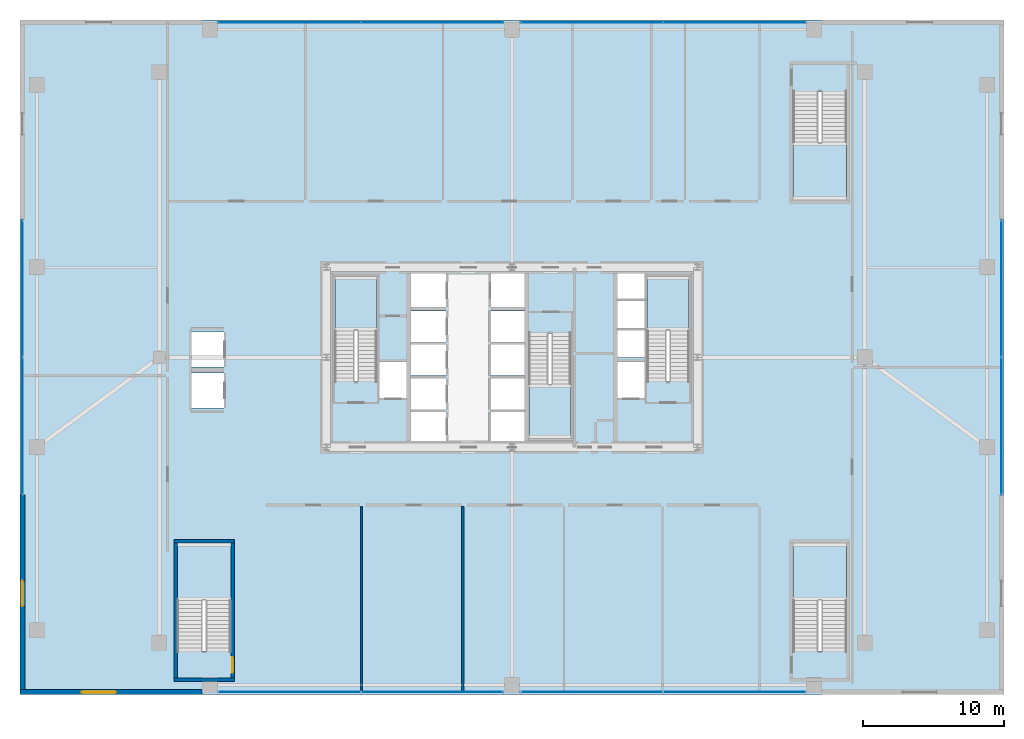
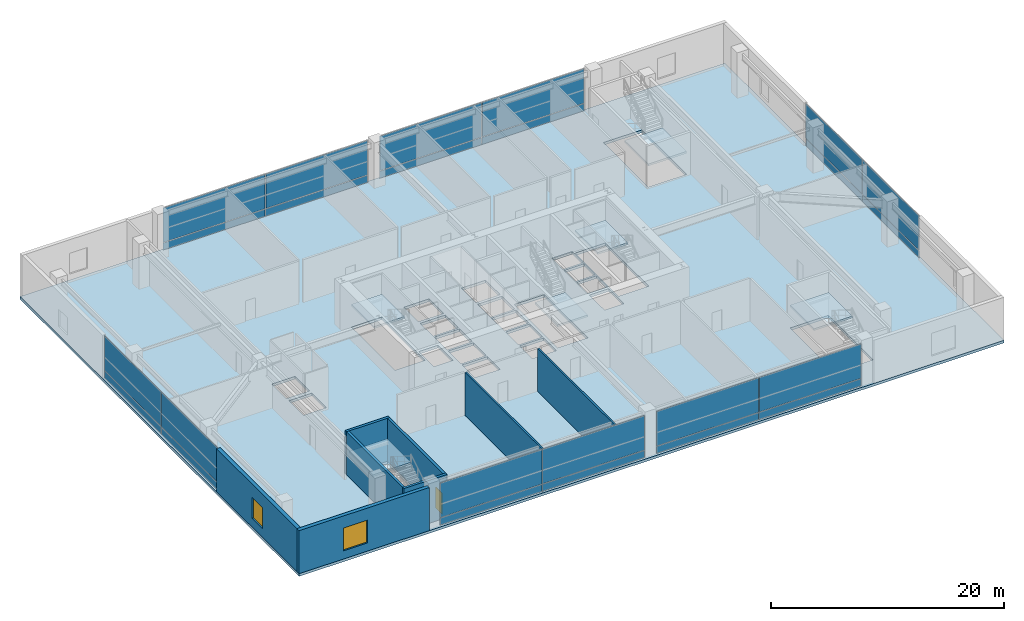
# One storey, part 32 of 39: 24 plates, 8 walls, 7 slabs, 2 windows, 1 door, 3 openings, 12 elements without a shape of their own.
"""IFC4 building model written with IfcOpenShell, lengths in metres."""

from ifc_helpers import new_model, si_unit, direction, frame, frame_2d, origin, origin_2d, place, context, subcontext, project, spatial, polyline, rectangle, outline, extrude, source, transform, mapped, material, layer, layer_set, type_object, element, fill, aggregate, save


model = new_model("IFC4")

# Units and contexts
model_context = context("Model", 3, precision=1e-05, world=origin(), true_north=direction((0.0, 1.0)))
body_context = subcontext(model_context, "Body", "Model", "MODEL_VIEW")
ifc_project = project(units=[si_unit("LENGTHUNIT", "METRE"), si_unit("AREAUNIT", "SQUARE_METRE"), si_unit("VOLUMEUNIT", "CUBIC_METRE"), si_unit("PLANEANGLEUNIT", "RADIAN"), si_unit("MASSUNIT", "GRAM", prefix="KILO"), si_unit("THERMODYNAMICTEMPERATUREUNIT", "KELVIN"), si_unit("POWERUNIT", "WATT")], contexts=[model_context])

# Site, building, storey
site_placement = place(None, origin())
site = spatial("IfcSite", under=ifc_project, at=site_placement, CompositionType="ELEMENT")
building_placement = place(site_placement, origin())
building = spatial("IfcBuilding", under=site, at=building_placement, Name="Yuzanri Waterfront Tower", CompositionType="ELEMENT")
storey_placement = place(building_placement, frame((0.0, 0.0, 15.0)))
storey = spatial("IfcBuildingStorey", under=building, at=storey_placement, Name="L04", CompositionType="ELEMENT", Elevation=15.0)

# Stair, slab
ifc_material_1 = material(Name="Concrete C40", Category="concrete")
stair_type_1 = type_object("IfcStairType", Name="Concrete C40 Core Dogleg Exit Stair", PredefinedType="HALF_TURN_STAIR", material=ifc_material_1)
stair_1_placement = place(storey_placement, origin())
stair_1 = element("IfcStair", 1, at=stair_1_placement, inside=storey, type_object=stair_type_1, Name="L04 Smoke-Proof Core Stair ST-01", PredefinedType="HALF_TURN_STAIR")
ifc_material_2 = material(Name="Concrete C40", Category="concrete")
ifc_layer_1 = layer(ifc_material_2, 0.179931640625)
ifc_layer_set_1 = layer_set([ifc_layer_1], Name="Concrete C40")
slab_type_1 = type_object("IfcSlabType", Name="Concrete C40 Stair Half-Landing Slab 180", PredefinedType="LANDING", material=ifc_layer_set_1)
slab_1_placement = place(storey_placement, frame((0.0, 0.0, 2.199951171875)))
slab_1 = element("IfcSlab", 2, at=slab_1_placement, type_object=slab_type_1, Name="ST-01 landing 1", PredefinedType="LANDING", context=body_context, shape_type="SweptSolid", body=[
    extrude(outline(polyline([(27.39990234375, 27.679931640625), (27.39990234375, 31.580078125), (24.39990234375, 31.580078125), (24.39990234375, 27.679931640625), (27.39990234375, 27.679931640625)])), origin(), (0.0, 0.0, 1.0), 0.199951171875),
])
aggregate(stair_1, [slab_1])

stair_2_placement = place(storey_placement, origin())
stair_2 = element("IfcStair", 3, at=stair_2_placement, inside=storey, type_object=stair_type_1, Name="L04 Smoke-Proof Core Stair ST-02", PredefinedType="HALF_TURN_STAIR")
slab_2_placement = place(storey_placement, frame((0.0, 0.0, 2.199951171875)))
slab_2 = element("IfcSlab", 4, at=slab_2_placement, type_object=slab_type_1, Name="ST-02 landing 1", PredefinedType="LANDING", context=body_context, shape_type="SweptSolid", body=[
    extrude(outline(polyline([(49.60009765625, 27.679931640625), (49.60009765625, 31.580078125), (46.60009765625, 31.580078125), (46.60009765625, 27.679931640625), (49.60009765625, 27.679931640625)])), origin(), (0.0, 0.0, 1.0), 0.199951171875),
])
aggregate(stair_2, [slab_2])

stair_3_placement = place(storey_placement, origin())
stair_3 = element("IfcStair", 5, at=stair_3_placement, inside=storey, type_object=stair_type_1, Name="L04 Smoke-Proof Core Stair ST-03", PredefinedType="HALF_TURN_STAIR")
slab_3_placement = place(storey_placement, frame((0.0, 0.0, 2.199951171875)))
slab_3 = element("IfcSlab", 6, at=slab_3_placement, type_object=slab_type_1, Name="ST-03 landing 1", PredefinedType="LANDING", context=body_context, shape_type="SweptSolid", body=[
    extrude(outline(polyline([(38.199951171875, 23.919921875), (38.199951171875, 20.02001953125), (41.199951171875, 20.02001953125), (41.199951171875, 23.919921875), (38.199951171875, 23.919921875)])), origin(), (0.0, 0.0, 1.0), 0.199951171875),
])
aggregate(stair_3, [slab_3])

ifc_material_3 = material(Name="Concrete C40", Category="concrete")
stair_type_2 = type_object("IfcStairType", Name="Concrete C40 Podium Dogleg Exit Stair", PredefinedType="HALF_TURN_STAIR", material=ifc_material_3)
stair_4_placement = place(storey_placement, origin())
stair_4 = element("IfcStair", 7, at=stair_4_placement, inside=storey, type_object=stair_type_2, Name="L04 Podium Public Exit Stair PST-01", PredefinedType="HALF_TURN_STAIR")
slab_4_placement = place(storey_placement, frame((0.0, 0.0, 2.199951171875)))
slab_4 = element("IfcSlab", 8, at=slab_4_placement, type_object=slab_type_1, Name="PST-01 landing 1", PredefinedType="LANDING", context=body_context, shape_type="SweptSolid", body=[
    extrude(outline(polyline([(17.0, 8.489990234375), (17.0, 12.60009765625), (13.199951171875, 12.60009765625), (13.199951171875, 8.489990234375), (17.0, 8.489990234375)])), origin(), (0.0, 0.0, 1.0), 0.199951171875),
])
aggregate(stair_4, [slab_4])

stair_5_placement = place(storey_placement, origin())
stair_5 = element("IfcStair", 9, at=stair_5_placement, inside=storey, type_object=stair_type_2, Name="L04 Podium Public Exit Stair PST-02", PredefinedType="HALF_TURN_STAIR")
slab_5_placement = place(storey_placement, frame((0.0, 0.0, 2.199951171875)))
slab_5 = element("IfcSlab", 10, at=slab_5_placement, type_object=slab_type_1, Name="PST-02 landing 1", PredefinedType="LANDING", context=body_context, shape_type="SweptSolid", body=[
    extrude(outline(polyline([(60.800048828125, 8.489990234375), (60.800048828125, 12.60009765625), (57.0, 12.60009765625), (57.0, 8.489990234375), (60.800048828125, 8.489990234375)])), origin(), (0.0, 0.0, 1.0), 0.199951171875),
])
aggregate(stair_5, [slab_5])

stair_6_placement = place(storey_placement, origin())
stair_6 = element("IfcStair", 11, at=stair_6_placement, inside=storey, type_object=stair_type_2, Name="L04 Podium Public Exit Stair PST-03", PredefinedType="HALF_TURN_STAIR")
slab_6_placement = place(storey_placement, frame((0.0, 0.0, 2.199951171875)))
slab_6 = element("IfcSlab", 12, at=slab_6_placement, type_object=slab_type_1, Name="PST-03 landing 1", PredefinedType="LANDING", context=body_context, shape_type="SweptSolid", body=[
    extrude(outline(polyline([(57.0, 41.110107421875), (57.0, 37.0), (60.800048828125, 37.0), (60.800048828125, 41.110107421875), (57.0, 41.110107421875)])), origin(), (0.0, 0.0, 1.0), 0.199951171875),
])
aggregate(stair_6, [slab_6])

# Slab
ifc_material_4 = material(Name="Concrete C45", Category="concrete")
ifc_layer_2 = layer(ifc_material_4, 0.280029296875)
ifc_layer_set_2 = layer_set([ifc_layer_2], Name="Concrete C45")
slab_type_2 = type_object("IfcSlabType", Name="Concrete C45 Podium and Refuge Structural Floor Slab 280", PredefinedType="FLOOR", material=ifc_layer_set_2)
slab_7_placement = place(storey_placement, frame((0.0, 0.0, -0.280029296875)))
element("IfcSlab", 13, at=slab_7_placement, inside=storey, type_object=slab_type_2, Name="L04 Main Structural Floor Slab", PredefinedType="FLOOR", context=body_context, shape_type="SweptSolid", body=[
    extrude(outline(polyline([(2.0, 1.800048828125), (72.0, 1.800048828125), (72.0, 49.800048828125), (2.0, 49.800048828125), (2.0, 1.800048828125)]), holes=[polyline([(27.39990234375, 24.10009765625), (27.39990234375, 31.580078125), (24.39990234375, 31.580078125), (24.39990234375, 24.10009765625), (27.39990234375, 24.10009765625)]), polyline([(49.60009765625, 24.10009765625), (49.60009765625, 31.580078125), (46.60009765625, 31.580078125), (46.60009765625, 24.10009765625), (49.60009765625, 24.10009765625)]), polyline([(38.199951171875, 27.5), (38.199951171875, 20.02001953125), (41.199951171875, 20.02001953125), (41.199951171875, 27.5), (38.199951171875, 27.5)]), polyline([(17.0, 4.909912109375), (17.0, 12.60009765625), (13.199951171875, 12.60009765625), (13.199951171875, 4.909912109375), (17.0, 4.909912109375)]), polyline([(60.800048828125, 4.909912109375), (60.800048828125, 12.60009765625), (57.0, 12.60009765625), (57.0, 4.909912109375), (60.800048828125, 4.909912109375)]), polyline([(57.0, 44.68994140625), (57.0, 37.0), (60.800048828125, 37.0), (60.800048828125, 44.68994140625), (57.0, 44.68994140625)]), polyline([(27.56005859375, 22.89990234375), (29.47998046875, 22.89990234375), (29.47998046875, 25.5), (27.56005859375, 25.5), (27.56005859375, 22.89990234375)]), polyline([(44.52001953125, 22.89990234375), (46.43994140625, 22.89990234375), (46.43994140625, 25.5), (44.52001953125, 25.5), (44.52001953125, 22.89990234375)]), polyline([(29.800048828125, 19.699951171875), (32.300048828125, 19.699951171875), (32.300048828125, 21.89990234375), (29.800048828125, 21.89990234375), (29.800048828125, 19.699951171875)]), polyline([(29.800048828125, 22.10009765625), (32.300048828125, 22.10009765625), (32.300048828125, 24.300048828125), (29.800048828125, 24.300048828125), (29.800048828125, 22.10009765625)]), polyline([(29.800048828125, 24.5), (32.300048828125, 24.5), (32.300048828125, 26.699951171875), (29.800048828125, 26.699951171875), (29.800048828125, 24.5)]), polyline([(29.800048828125, 26.89990234375), (32.300048828125, 26.89990234375), (32.300048828125, 29.10009765625), (29.800048828125, 29.10009765625), (29.800048828125, 26.89990234375)]), polyline([(29.800048828125, 29.39990234375), (32.300048828125, 29.39990234375), (32.300048828125, 31.89990234375), (29.800048828125, 31.89990234375), (29.800048828125, 29.39990234375)]), polyline([(35.5, 19.699951171875), (37.89990234375, 19.699951171875), (37.89990234375, 21.89990234375), (35.5, 21.89990234375), (35.5, 19.699951171875)]), polyline([(35.5, 22.10009765625), (37.89990234375, 22.10009765625), (37.89990234375, 24.300048828125), (35.5, 24.300048828125), (35.5, 22.10009765625)]), polyline([(35.5, 24.5), (37.89990234375, 24.5), (37.89990234375, 26.699951171875), (35.5, 26.699951171875), (35.5, 24.5)]), polyline([(35.5, 26.89990234375), (37.89990234375, 26.89990234375), (37.89990234375, 29.10009765625), (35.5, 29.10009765625), (35.5, 26.89990234375)]), polyline([(35.5, 29.39990234375), (37.89990234375, 29.39990234375), (37.89990234375, 31.89990234375), (35.5, 31.89990234375), (35.5, 29.39990234375)]), polyline([(44.5, 25.800048828125), (46.5, 25.800048828125), (46.5, 27.699951171875), (44.5, 27.699951171875), (44.5, 25.800048828125)]), polyline([(44.5, 27.89990234375), (46.5, 27.89990234375), (46.5, 29.800048828125), (44.5, 29.800048828125), (44.5, 27.89990234375)]), polyline([(44.5, 30.0), (46.5, 30.0), (46.5, 31.89990234375), (44.5, 31.89990234375), (44.5, 30.0)]), polyline([(14.199951171875, 22.199951171875), (16.5, 22.199951171875), (16.5, 24.699951171875), (14.199951171875, 24.699951171875), (14.199951171875, 22.199951171875)]), polyline([(14.199951171875, 25.10009765625), (16.5, 25.10009765625), (16.5, 27.60009765625), (14.199951171875, 27.60009765625), (14.199951171875, 25.10009765625)])]), origin(), (0.0, 0.0, 1.0), 0.280029296875),
])

# Curtain wall, plates
ifc_material_5 = material(Name="Anodized Architectural Bronze", Category="metal")
ifc_layer_3 = layer(ifc_material_5, 0.159912109375)
ifc_layer_set_3 = layer_set([ifc_layer_3], Name="Anodized Architectural Bronze")
curtain_wall_type = type_object("IfcCurtainWallType", Name="Anodized Bronze Podium Waterfront Double-Height Unitized Curtain Wall 8400", PredefinedType="NOTDEFINED", material=ifc_layer_set_3)
curtain_wall_1_placement = place(storey_placement, origin())
curtain_wall_1 = element("IfcCurtainWall", 14, at=curtain_wall_1_placement, inside=storey, type_object=curtain_wall_type, Name="L04 Curtain Wall CW-L04-W", PredefinedType="NOTDEFINED")
ifc_material_6 = material(Name="Anodized Architectural Bronze", Category="metal")
ifc_layer_4 = layer(ifc_material_6, 0.028076171875)
ifc_layer_set_4 = layer_set([ifc_layer_4], Name="Anodized Architectural Bronze")
plate_type_1 = type_object("IfcPlateType", Name="Bronze Insulated Spandrel Shadow-Box Panel 28", PredefinedType="CURTAIN_PANEL", material=ifc_layer_set_4)
shared_shape_1 = source(origin(), body_context, "Body", "SweptSolid", [
    extrude(rectangle(XDim=9.719970703125, YDim=0.028076171875, at=origin_2d()), origin(), (0.0, 0.0, 1.0), 0.739990234375),
])
plate_1_placement = place(storey_placement, frame((2.179931640625, 20.89990234375, 0.0498046875), z_axis=(0.0, 0.0, 1.0), x_axis=(0.0, 1.0, 0.0)))
plate_1 = element("IfcPlate", 15, at=plate_1_placement, type_object=plate_type_1, Name="CW-L04-W Spandrel Panel 01", PredefinedType="CURTAIN_PANEL", context=body_context, shape_type="MappedRepresentation", body=[
    mapped(shared_shape_1, transform((0.0, 0.0, 0.0), scale=1.0)),
])
plate_2_placement = place(storey_placement, frame((2.179931640625, 30.699951171875, 0.0498046875), z_axis=(0.0, 0.0, 1.0), x_axis=(0.0, 1.0, 0.0)))
plate_2 = element("IfcPlate", 16, at=plate_2_placement, type_object=plate_type_1, Name="CW-L04-W Spandrel Panel 02", PredefinedType="CURTAIN_PANEL", context=body_context, shape_type="MappedRepresentation", body=[
    mapped(shared_shape_1, transform((0.0, 0.0, 0.0), scale=1.0)),
])

curtain_wall_2_placement = place(storey_placement, origin())
curtain_wall_2 = element("IfcCurtainWall", 17, at=curtain_wall_2_placement, inside=storey, type_object=curtain_wall_type, Name="L04 Curtain Wall CW-L04-E", PredefinedType="NOTDEFINED")
plate_3_placement = place(storey_placement, frame((71.820068359375, 20.89990234375, 0.0498046875), z_axis=(0.0, 0.0, 1.0), x_axis=(0.0, 1.0, 0.0)))
plate_3 = element("IfcPlate", 18, at=plate_3_placement, type_object=plate_type_1, Name="CW-L04-E Spandrel Panel 01", PredefinedType="CURTAIN_PANEL", context=body_context, shape_type="MappedRepresentation", body=[
    mapped(shared_shape_1, transform((0.0, 0.0, 0.0), scale=1.0)),
])
plate_4_placement = place(storey_placement, frame((71.820068359375, 30.699951171875, 0.0498046875), z_axis=(0.0, 0.0, 1.0), x_axis=(0.0, 1.0, 0.0)))
plate_4 = element("IfcPlate", 19, at=plate_4_placement, type_object=plate_type_1, Name="CW-L04-E Spandrel Panel 02", PredefinedType="CURTAIN_PANEL", context=body_context, shape_type="MappedRepresentation", body=[
    mapped(shared_shape_1, transform((0.0, 0.0, 0.0), scale=1.0)),
])

curtain_wall_3_placement = place(storey_placement, origin())
curtain_wall_3 = element("IfcCurtainWall", 20, at=curtain_wall_3_placement, inside=storey, type_object=curtain_wall_type, Name="L04 Curtain Wall CW-L04-S1", PredefinedType="NOTDEFINED")
shared_shape_2 = source(origin(), body_context, "Body", "SweptSolid", [
    extrude(rectangle(XDim=10.10009765625, YDim=0.028076171875, at=origin_2d()), origin(), (0.0, 0.0, 1.0), 0.739990234375),
])
plate_5_placement = place(storey_placement, frame((21.159912109375, 1.97998046875, 0.0498046875), z_axis=(0.0, 0.0, 1.0), x_axis=(1.0, 0.0, 0.0)))
plate_5 = element("IfcPlate", 21, at=plate_5_placement, type_object=plate_type_1, Name="CW-L04-S1 Spandrel Panel 01", PredefinedType="CURTAIN_PANEL", context=body_context, shape_type="MappedRepresentation", body=[
    mapped(shared_shape_2, transform((0.0, 0.0, 0.0), scale=1.0)),
])
plate_6_placement = place(storey_placement, frame((31.340087890625, 1.97998046875, 0.0498046875), z_axis=(0.0, 0.0, 1.0), x_axis=(1.0, 0.0, 0.0)))
plate_6 = element("IfcPlate", 22, at=plate_6_placement, type_object=plate_type_1, Name="CW-L04-S1 Spandrel Panel 02", PredefinedType="CURTAIN_PANEL", context=body_context, shape_type="MappedRepresentation", body=[
    mapped(shared_shape_2, transform((0.0, 0.0, 0.0), scale=1.0)),
])

curtain_wall_4_placement = place(storey_placement, origin())
curtain_wall_4 = element("IfcCurtainWall", 23, at=curtain_wall_4_placement, inside=storey, type_object=curtain_wall_type, Name="L04 Curtain Wall CW-L04-S2", PredefinedType="NOTDEFINED")
plate_7_placement = place(storey_placement, frame((42.659912109375, 1.97998046875, 0.0498046875), z_axis=(0.0, 0.0, 1.0), x_axis=(1.0, 0.0, 0.0)))
plate_7 = element("IfcPlate", 24, at=plate_7_placement, type_object=plate_type_1, Name="CW-L04-S2 Spandrel Panel 01", PredefinedType="CURTAIN_PANEL", context=body_context, shape_type="MappedRepresentation", body=[
    mapped(shared_shape_2, transform((0.0, 0.0, 0.0), scale=1.0)),
])
plate_8_placement = place(storey_placement, frame((52.840087890625, 1.97998046875, 0.0498046875), z_axis=(0.0, 0.0, 1.0), x_axis=(1.0, 0.0, 0.0)))
plate_8 = element("IfcPlate", 25, at=plate_8_placement, type_object=plate_type_1, Name="CW-L04-S2 Spandrel Panel 02", PredefinedType="CURTAIN_PANEL", context=body_context, shape_type="MappedRepresentation", body=[
    mapped(shared_shape_2, transform((0.0, 0.0, 0.0), scale=1.0)),
])

curtain_wall_5_placement = place(storey_placement, origin())
curtain_wall_5 = element("IfcCurtainWall", 26, at=curtain_wall_5_placement, inside=storey, type_object=curtain_wall_type, Name="L04 Curtain Wall CW-L04-N1", PredefinedType="NOTDEFINED")
plate_9_placement = place(storey_placement, frame((21.159912109375, 49.6201171875, 0.0498046875), z_axis=(0.0, 0.0, 1.0), x_axis=(1.0, 0.0, 0.0)))
plate_9 = element("IfcPlate", 27, at=plate_9_placement, type_object=plate_type_1, Name="CW-L04-N1 Spandrel Panel 01", PredefinedType="CURTAIN_PANEL", context=body_context, shape_type="MappedRepresentation", body=[
    mapped(shared_shape_2, transform((0.0, 0.0, 0.0), scale=1.0)),
])
plate_10_placement = place(storey_placement, frame((31.340087890625, 49.6201171875, 0.0498046875), z_axis=(0.0, 0.0, 1.0), x_axis=(1.0, 0.0, 0.0)))
plate_10 = element("IfcPlate", 28, at=plate_10_placement, type_object=plate_type_1, Name="CW-L04-N1 Spandrel Panel 02", PredefinedType="CURTAIN_PANEL", context=body_context, shape_type="MappedRepresentation", body=[
    mapped(shared_shape_2, transform((0.0, 0.0, 0.0), scale=1.0)),
])

curtain_wall_6_placement = place(storey_placement, origin())
curtain_wall_6 = element("IfcCurtainWall", 29, at=curtain_wall_6_placement, inside=storey, type_object=curtain_wall_type, Name="L04 Curtain Wall CW-L04-N2", PredefinedType="NOTDEFINED")
plate_11_placement = place(storey_placement, frame((42.659912109375, 49.6201171875, 0.0498046875), z_axis=(0.0, 0.0, 1.0), x_axis=(1.0, 0.0, 0.0)))
plate_11 = element("IfcPlate", 30, at=plate_11_placement, type_object=plate_type_1, Name="CW-L04-N2 Spandrel Panel 01", PredefinedType="CURTAIN_PANEL", context=body_context, shape_type="MappedRepresentation", body=[
    mapped(shared_shape_2, transform((0.0, 0.0, 0.0), scale=1.0)),
])
plate_12_placement = place(storey_placement, frame((52.840087890625, 49.6201171875, 0.0498046875), z_axis=(0.0, 0.0, 1.0), x_axis=(1.0, 0.0, 0.0)))
plate_12 = element("IfcPlate", 31, at=plate_12_placement, type_object=plate_type_1, Name="CW-L04-N2 Spandrel Panel 02", PredefinedType="CURTAIN_PANEL", context=body_context, shape_type="MappedRepresentation", body=[
    mapped(shared_shape_2, transform((0.0, 0.0, 0.0), scale=1.0)),
])

# Plate
ifc_material_7 = material(Name="Double-Silver Low-E Insulated Glass", Category="glass")
ifc_layer_5 = layer(ifc_material_7, 0.035888671875)
ifc_layer_set_5 = layer_set([ifc_layer_5], Name="Double-Silver Low-E Insulated Glass")
plate_type_2 = type_object("IfcPlateType", Name="Double Silver Low-E Insulated Vision Glass Panel 36", PredefinedType="CURTAIN_PANEL", material=ifc_layer_set_5)
shared_shape_3 = source(origin(), body_context, "Body", "SweptSolid", [
    extrude(rectangle(XDim=10.10009765625, YDim=0.035888671875, at=origin_2d()), origin(), (0.0, 0.0, 1.0), 3.6201171875),
])
plate_13_placement = place(storey_placement, frame((21.159912109375, 1.97998046875, 0.849853515625), z_axis=(0.0, 0.0, 1.0), x_axis=(1.0, 0.0, 0.0)))
plate_13 = element("IfcPlate", 32, at=plate_13_placement, type_object=plate_type_2, Name="CW-L04-S1 Vision Glass Panel 01", PredefinedType="CURTAIN_PANEL", context=body_context, shape_type="MappedRepresentation", body=[
    mapped(shared_shape_3, transform((0.0, 0.0, 0.0), scale=1.0)),
])

plate_14_placement = place(storey_placement, frame((31.340087890625, 1.97998046875, 0.849853515625), z_axis=(0.0, 0.0, 1.0), x_axis=(1.0, 0.0, 0.0)))
plate_14 = element("IfcPlate", 33, at=plate_14_placement, type_object=plate_type_2, Name="CW-L04-S1 Vision Glass Panel 02", PredefinedType="CURTAIN_PANEL", context=body_context, shape_type="MappedRepresentation", body=[
    mapped(shared_shape_3, transform((0.0, 0.0, 0.0), scale=1.0)),
])

aggregate(curtain_wall_3, [plate_5, plate_13, plate_6, plate_14])

plate_15_placement = place(storey_placement, frame((42.659912109375, 1.97998046875, 0.849853515625), z_axis=(0.0, 0.0, 1.0), x_axis=(1.0, 0.0, 0.0)))
plate_15 = element("IfcPlate", 34, at=plate_15_placement, type_object=plate_type_2, Name="CW-L04-S2 Vision Glass Panel 01", PredefinedType="CURTAIN_PANEL", context=body_context, shape_type="MappedRepresentation", body=[
    mapped(shared_shape_3, transform((0.0, 0.0, 0.0), scale=1.0)),
])

plate_16_placement = place(storey_placement, frame((52.840087890625, 1.97998046875, 0.849853515625), z_axis=(0.0, 0.0, 1.0), x_axis=(1.0, 0.0, 0.0)))
plate_16 = element("IfcPlate", 35, at=plate_16_placement, type_object=plate_type_2, Name="CW-L04-S2 Vision Glass Panel 02", PredefinedType="CURTAIN_PANEL", context=body_context, shape_type="MappedRepresentation", body=[
    mapped(shared_shape_3, transform((0.0, 0.0, 0.0), scale=1.0)),
])

aggregate(curtain_wall_4, [plate_7, plate_15, plate_8, plate_16])

plate_17_placement = place(storey_placement, frame((21.159912109375, 49.6201171875, 0.849853515625), z_axis=(0.0, 0.0, 1.0), x_axis=(1.0, 0.0, 0.0)))
plate_17 = element("IfcPlate", 36, at=plate_17_placement, type_object=plate_type_2, Name="CW-L04-N1 Vision Glass Panel 01", PredefinedType="CURTAIN_PANEL", context=body_context, shape_type="MappedRepresentation", body=[
    mapped(shared_shape_3, transform((0.0, 0.0, 0.0), scale=1.0)),
])

plate_18_placement = place(storey_placement, frame((31.340087890625, 49.6201171875, 0.849853515625), z_axis=(0.0, 0.0, 1.0), x_axis=(1.0, 0.0, 0.0)))
plate_18 = element("IfcPlate", 37, at=plate_18_placement, type_object=plate_type_2, Name="CW-L04-N1 Vision Glass Panel 02", PredefinedType="CURTAIN_PANEL", context=body_context, shape_type="MappedRepresentation", body=[
    mapped(shared_shape_3, transform((0.0, 0.0, 0.0), scale=1.0)),
])

aggregate(curtain_wall_5, [plate_9, plate_17, plate_10, plate_18])

plate_19_placement = place(storey_placement, frame((42.659912109375, 49.6201171875, 0.849853515625), z_axis=(0.0, 0.0, 1.0), x_axis=(1.0, 0.0, 0.0)))
plate_19 = element("IfcPlate", 38, at=plate_19_placement, type_object=plate_type_2, Name="CW-L04-N2 Vision Glass Panel 01", PredefinedType="CURTAIN_PANEL", context=body_context, shape_type="MappedRepresentation", body=[
    mapped(shared_shape_3, transform((0.0, 0.0, 0.0), scale=1.0)),
])

plate_20_placement = place(storey_placement, frame((52.840087890625, 49.6201171875, 0.849853515625), z_axis=(0.0, 0.0, 1.0), x_axis=(1.0, 0.0, 0.0)))
plate_20 = element("IfcPlate", 39, at=plate_20_placement, type_object=plate_type_2, Name="CW-L04-N2 Vision Glass Panel 02", PredefinedType="CURTAIN_PANEL", context=body_context, shape_type="MappedRepresentation", body=[
    mapped(shared_shape_3, transform((0.0, 0.0, 0.0), scale=1.0)),
])

aggregate(curtain_wall_6, [plate_11, plate_19, plate_12, plate_20])

shared_shape_4 = source(origin(), body_context, "Body", "SweptSolid", [
    extrude(rectangle(XDim=9.719970703125, YDim=0.035888671875, at=origin_2d()), origin(), (0.0, 0.0, 1.0), 3.6201171875),
])
plate_21_placement = place(storey_placement, frame((2.179931640625, 20.89990234375, 0.849853515625), z_axis=(0.0, 0.0, 1.0), x_axis=(0.0, 1.0, 0.0)))
plate_21 = element("IfcPlate", 40, at=plate_21_placement, type_object=plate_type_2, Name="CW-L04-W Vision Glass Panel 01", PredefinedType="CURTAIN_PANEL", context=body_context, shape_type="MappedRepresentation", body=[
    mapped(shared_shape_4, transform((0.0, 0.0, 0.0), scale=1.0)),
])

plate_22_placement = place(storey_placement, frame((2.179931640625, 30.699951171875, 0.849853515625), z_axis=(0.0, 0.0, 1.0), x_axis=(0.0, 1.0, 0.0)))
plate_22 = element("IfcPlate", 41, at=plate_22_placement, type_object=plate_type_2, Name="CW-L04-W Vision Glass Panel 02", PredefinedType="CURTAIN_PANEL", context=body_context, shape_type="MappedRepresentation", body=[
    mapped(shared_shape_4, transform((0.0, 0.0, 0.0), scale=1.0)),
])

aggregate(curtain_wall_1, [plate_1, plate_21, plate_2, plate_22])

plate_23_placement = place(storey_placement, frame((71.820068359375, 20.89990234375, 0.849853515625), z_axis=(0.0, 0.0, 1.0), x_axis=(0.0, 1.0, 0.0)))
plate_23 = element("IfcPlate", 42, at=plate_23_placement, type_object=plate_type_2, Name="CW-L04-E Vision Glass Panel 01", PredefinedType="CURTAIN_PANEL", context=body_context, shape_type="MappedRepresentation", body=[
    mapped(shared_shape_4, transform((0.0, 0.0, 0.0), scale=1.0)),
])

plate_24_placement = place(storey_placement, frame((71.820068359375, 30.699951171875, 0.849853515625), z_axis=(0.0, 0.0, 1.0), x_axis=(0.0, 1.0, 0.0)))
plate_24 = element("IfcPlate", 43, at=plate_24_placement, type_object=plate_type_2, Name="CW-L04-E Vision Glass Panel 02", PredefinedType="CURTAIN_PANEL", context=body_context, shape_type="MappedRepresentation", body=[
    mapped(shared_shape_4, transform((0.0, 0.0, 0.0), scale=1.0)),
])

aggregate(curtain_wall_2, [plate_3, plate_23, plate_4, plate_24])

# Wall, opening, window
ifc_material_8 = material(Name="Honed Chongqing Dark Basalt Stone", Category="masonry")
ifc_layer_6 = layer(ifc_material_8, 0.360107421875)
ifc_layer_set_6 = layer_set([ifc_layer_6], Name="Honed Chongqing Dark Basalt Stone")
wall_type_1 = type_object("IfcWallType", Name="Honed Basalt Stone Masonry-Frame Spandrel Wall 360", PredefinedType="SOLIDWALL", material=ifc_layer_set_6)
wall_1_placement = place(storey_placement, frame((2.0, 1.97998046875, 0.0), z_axis=(0.0, 0.0, 1.0), x_axis=(1.0, 0.0, 0.0)))
wall_1 = element("IfcWall", 44, at=wall_1_placement, inside=storey, type_object=wall_type_1, Name="L04 South-West Basalt Pier", PredefinedType="SOLIDWALL", context=body_context, shape_type="SweptSolid", body=[
    extrude(rectangle(XDim=12.929931640625, YDim=0.360107421875, at=frame_2d((6.46484375, 0.0))), origin(), (0.0, 0.0, 1.0), 4.52001953125),
])
opening_1_placement = place(wall_1_placement, frame((4.39990234375, 0.0, 0.85009765625)))
opening_1 = element("IfcOpeningElement", 45, at=opening_1_placement, cuts=wall_1, Name="Opening WN-03", PredefinedType="OPENING", context=body_context, shape_type="SweptSolid", body=[
    extrude(rectangle(XDim=2.39990234375, YDim=2.39990234375, at=frame_2d((1.199951171875, 1.199951171875))), frame((0.0, 0.19482421875, 0.0), z_axis=(0.0, -1.0, 0.0), x_axis=(1.0, 0.0, 0.0)), (0.0, 0.0, 1.0), 0.389892578125),
])
ifc_material_9 = material(Name="Double-Silver Low-E Insulated Glass", Category="glass")
window_type_1 = type_object("IfcWindowType", Name="Anodized Bronze Podium Waterfront Picture Window 2400x2400", PartitioningType="SINGLE_PANEL", PredefinedType="WINDOW", material=ifc_material_9)
shared_shape_5 = source(origin(), body_context, "Body", "SweptSolid", [
    extrude(rectangle(XDim=2.39990234375, YDim=2.39990234375, at=frame_2d((1.199951171875, 1.199951171875))), frame((0.0, 0.030029296875, 0.0), z_axis=(0.0, -1.0, 0.0), x_axis=(1.0, 0.0, 0.0)), (0.0, 0.0, 1.0), 0.06005859375),
])
window_1_placement = place(opening_1_placement, origin())
window_1 = element("IfcWindow", 46, at=window_1_placement, inside=storey, type_object=window_type_1, Name="L04 SW Waterfront Window", OverallHeight=2.39990234375, OverallWidth=2.39990234375, PartitioningType="SINGLE_PANEL", PredefinedType="WINDOW", context=body_context, shape_type="MappedRepresentation", body=[
    mapped(shared_shape_5, transform((0.0, 0.0, 0.0), scale=1.0)),
])
fill(opening_1, window_1)

wall_2_placement = place(storey_placement, frame((2.179931640625, 2.159912109375, 0.0), z_axis=(0.0, 0.0, 1.0), x_axis=(0.0, 1.0, 0.0)))
wall_2 = element("IfcWall", 47, at=wall_2_placement, inside=storey, type_object=wall_type_1, Name="L04 W South Basalt Pier", PredefinedType="SOLIDWALL", context=body_context, shape_type="SweptSolid", body=[
    extrude(rectangle(XDim=13.840087890625, YDim=0.360107421875, at=frame_2d((6.919921875, 0.0))), origin(), (0.0, 0.0, 1.0), 4.52001953125),
])
opening_2_placement = place(wall_2_placement, frame((5.93994140625, 0.0, 0.89990234375)))
opening_2 = element("IfcOpeningElement", 48, at=opening_2_placement, cuts=wall_2, Name="Opening WN-01", PredefinedType="OPENING", context=body_context, shape_type="SweptSolid", body=[
    extrude(rectangle(XDim=1.800048828125, YDim=2.199951171875, at=frame_2d((0.89990234375, 1.10009765625))), frame((0.0, 0.19482421875, 0.0), z_axis=(0.0, -1.0, 0.0), x_axis=(1.0, 0.0, 0.0)), (0.0, 0.0, 1.0), 0.389892578125),
])
ifc_material_10 = material(Name="Double-Silver Low-E Insulated Glass", Category="glass")
window_type_2 = type_object("IfcWindowType", Name="Anodized Bronze Recessed Bronze Frame Double Casement Window 1800x2200", PartitioningType="SINGLE_PANEL", PredefinedType="WINDOW", material=ifc_material_10)
shared_shape_6 = source(origin(), body_context, "Body", "SweptSolid", [
    extrude(rectangle(XDim=1.800048828125, YDim=2.199951171875, at=frame_2d((0.89990234375, 1.10009765625))), frame((0.0, 0.030029296875, 0.0), z_axis=(0.0, -1.0, 0.0), x_axis=(1.0, 0.0, 0.0)), (0.0, 0.0, 1.0), 0.06005859375),
])
window_2_placement = place(opening_2_placement, origin())
window_2 = element("IfcWindow", 49, at=window_2_placement, inside=storey, type_object=window_type_2, Name="L04 WS Window", OverallHeight=2.199951171875, OverallWidth=1.800048828125, PartitioningType="SINGLE_PANEL", PredefinedType="WINDOW", context=body_context, shape_type="MappedRepresentation", body=[
    mapped(shared_shape_6, transform((0.0, 0.0, 0.0), scale=1.0)),
])
fill(opening_2, window_2)

# Wall, opening, door
ifc_material_11 = material(Name="Concrete C40", Category="concrete")
ifc_layer_7 = layer(ifc_material_11, 0.25)
ifc_layer_set_7 = layer_set([ifc_layer_7], Name="Concrete C40")
wall_type_2 = type_object("IfcWallType", Name="Smoke-Proof Stair and Lift Shaft Wall 250", PredefinedType="SOLIDWALL", material=ifc_layer_set_7)
wall_3_placement = place(storey_placement, frame((17.125, 3.0, 0.0), z_axis=(0.0, 0.0, 1.0), x_axis=(0.0, 1.0, 0.0)))
wall_3 = element("IfcWall", 50, at=wall_3_placement, inside=storey, type_object=wall_type_2, Name="L04 Shaft Wall PSTW-L04-PST-01-E", PredefinedType="SOLIDWALL", context=body_context, shape_type="SweptSolid", body=[
    extrude(rectangle(XDim=9.60009765625, YDim=0.25, at=frame_2d((4.800048828125, 0.0))), origin(), (0.0, 0.0, 1.0), 4.52001953125),
])
opening_3_placement = place(wall_3_placement, frame((0.35009765625, 0.0, 0.0)))
opening_3 = element("IfcOpeningElement", 51, at=opening_3_placement, cuts=wall_3, Name="Opening FD-1100", PredefinedType="OPENING", context=body_context, shape_type="SweptSolid", body=[
    extrude(rectangle(XDim=1.10009765625, YDim=2.199951171875, at=frame_2d((0.550048828125, 1.10009765625))), frame((0.0, 0.139892578125, 0.0), z_axis=(0.0, -1.0, 0.0), x_axis=(1.0, 0.0, 0.0)), (0.0, 0.0, 1.0), 0.27978515625),
])
ifc_material_12 = material(Name="Painted Galvanized Fire Steel", Category="steel")
door_type = type_object("IfcDoorType", Name="Smoke-Proof Stair and Lobby Fire Door 1100x2200", OperationType="NOTDEFINED", PredefinedType="DOOR", material=ifc_material_12)
shared_shape_7 = source(origin(), body_context, "Body", "SweptSolid", [
    extrude(rectangle(XDim=1.10009765625, YDim=2.199951171875, at=frame_2d((0.550048828125, 1.10009765625))), frame((0.0, 0.02490234375, 0.0), z_axis=(0.0, -1.0, 0.0), x_axis=(1.0, 0.0, 0.0)), (0.0, 0.0, 1.0), 0.050048828125),
])
door_placement = place(opening_3_placement, origin())
door = element("IfcDoor", 52, at=door_placement, inside=storey, type_object=door_type, Name="L04 PST-01 Stair Door", OperationType="SINGLE_SWING_RIGHT", OverallHeight=2.199951171875, OverallWidth=1.10009765625, PredefinedType="DOOR", context=body_context, shape_type="MappedRepresentation", body=[
    mapped(shared_shape_7, transform((0.0, 0.0, 0.0), scale=1.0)),
])
fill(opening_3, door)

# Walls
shared_shape_8 = source(origin(), body_context, "Body", "SweptSolid", [
    extrude(rectangle(XDim=4.300048828125, YDim=0.25, at=frame_2d((2.14990234375, 0.0))), origin(), (0.0, 0.0, 1.0), 4.52001953125),
])
for number, where, z_axis, x_axis, name in (
    (53, (12.949951171875, 2.875, 0.0), (0.0, 0.0, 1.0), (1.0, 0.0, 0.0), "L04 PST-01 South Wall"),
    (54, (12.949951171875, 12.72509765625, 0.0), (0.0, 0.0, 1.0), (1.0, 0.0, 0.0), "L04 PST-01 North Wall"),
):
    element("IfcWall", number, at=place(storey_placement, frame(where, z_axis=z_axis, x_axis=x_axis)), inside=storey, type_object=wall_type_2, Name=name, PredefinedType="SOLIDWALL", context=body_context, shape_type="MappedRepresentation", body=[
        mapped(shared_shape_8, transform((0.0, 0.0, 0.0), scale=1.0)),
    ])
shared_shape_9 = source(origin(), body_context, "Body", "SweptSolid", [
    extrude(rectangle(XDim=9.60009765625, YDim=0.25, at=frame_2d((4.800048828125, 0.0))), origin(), (0.0, 0.0, 1.0), 4.52001953125),
])
wall_4_placement = place(storey_placement, frame((13.074951171875, 3.0, 0.0), z_axis=(0.0, 0.0, 1.0), x_axis=(0.0, 1.0, 0.0)))
element("IfcWall", 55, at=wall_4_placement, inside=storey, type_object=wall_type_2, Name="L04 Shaft Wall PSTW-L04-PST-01-W", PredefinedType="SOLIDWALL", context=body_context, shape_type="MappedRepresentation", body=[
    mapped(shared_shape_9, transform((0.0, 0.0, 0.0), scale=1.0)),
])
ifc_material_13 = material(Name="Gypsum Fireboard Acoustic Stud Wall", Category="gypsum")
ifc_layer_8 = layer(ifc_material_13, 0.159912109375)
ifc_layer_set_8 = layer_set([ifc_layer_8], Name="Gypsum Fireboard Acoustic Stud Wall")
wall_type_3 = type_object("IfcWallType", Name="Acoustic Suite Demising Partition 160", PredefinedType="PARTITIONING", material=ifc_layer_set_8)
shared_shape_10 = source(origin(), body_context, "Body", "SweptSolid", [
    extrude(rectangle(XDim=13.219970703125, YDim=0.159912109375, at=frame_2d((6.60986328125, 0.0))), origin(), (0.0, 0.0, 1.0), 4.52001953125),
])
for number, where, z_axis, x_axis, name in (
    (56, (26.300048828125, 1.97998046875, 0.0), (0.0, 0.0, 1.0), (0.0, 1.0, 0.0), "L04-026 Demising Wall"),
    (57, (33.5, 1.97998046875, 0.0), (0.0, 0.0, 1.0), (0.0, 1.0, 0.0), "L04-027 Demising Wall"),
):
    element("IfcWall", number, at=place(storey_placement, frame(where, z_axis=z_axis, x_axis=x_axis)), inside=storey, type_object=wall_type_3, Name=name, PredefinedType="PARTITIONING", context=body_context, shape_type="MappedRepresentation", body=[
        mapped(shared_shape_10, transform((0.0, 0.0, 0.0), scale=1.0)),
    ])

save(model, "model.ifc")
